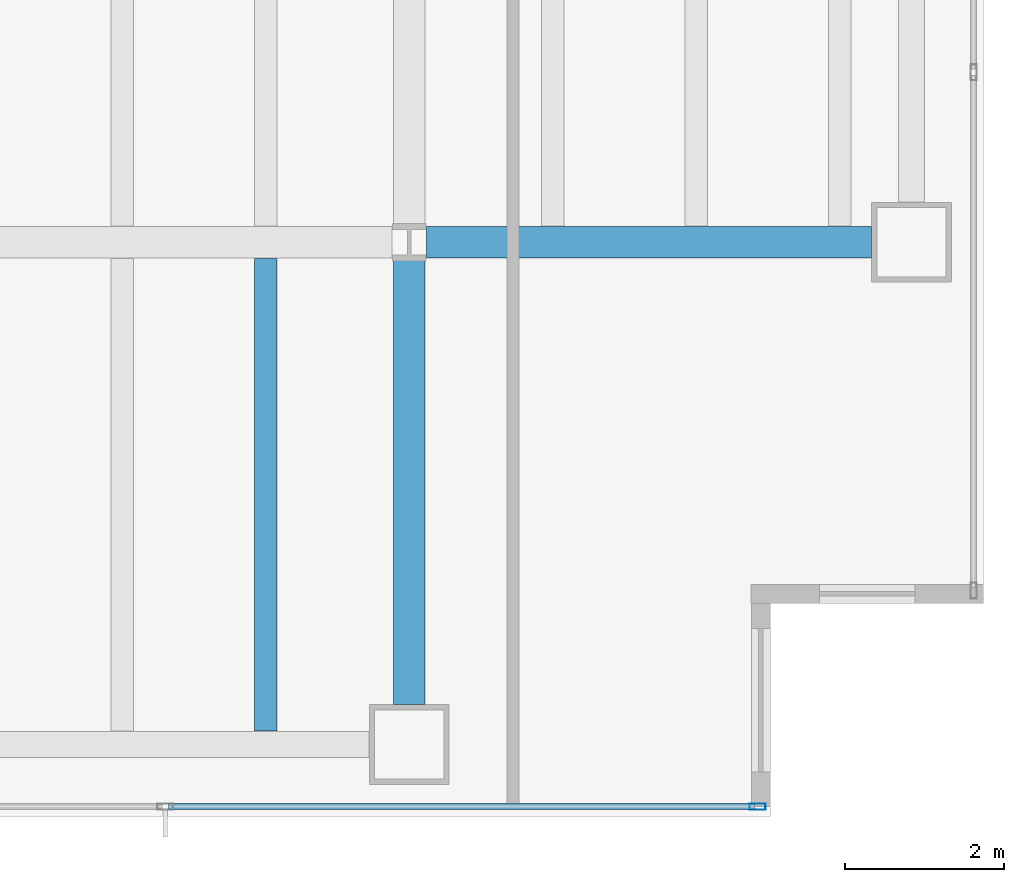
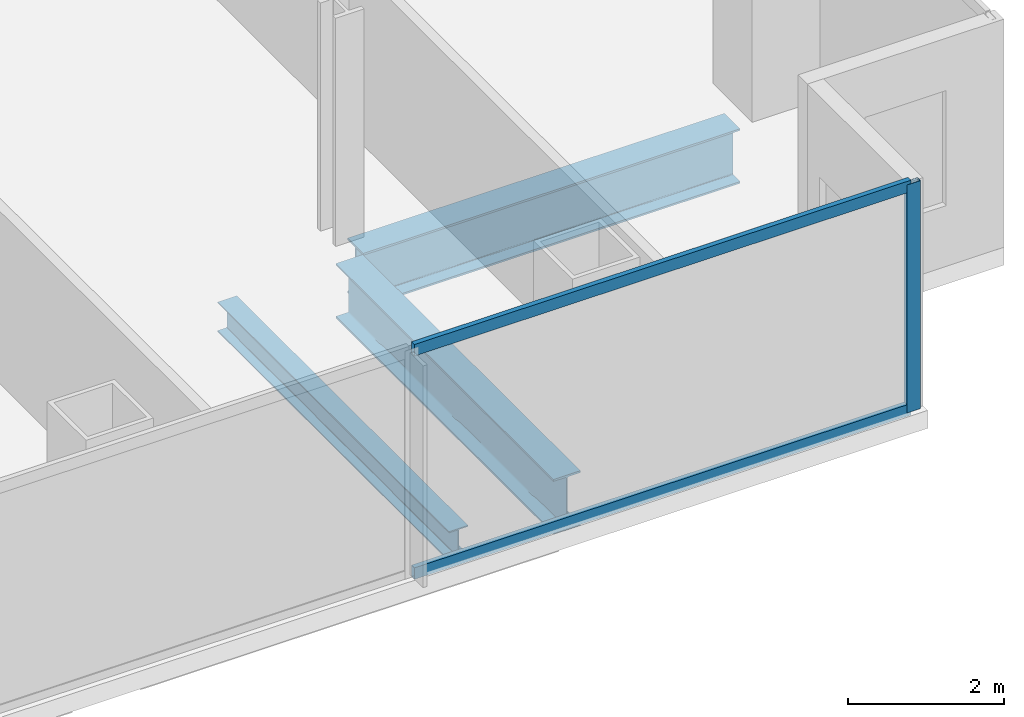
# One storey, part 8 of 25: 3 beams, 3 members, 1 element without a shape of its own.
"""IFC4 building model written with IfcOpenShell, lengths in metres."""

from ifc_helpers import new_model, si_unit, direction, frame, origin, origin_2d, place, context, subcontext, project, spatial, hollow_rectangle, i_section, extrude, material, material_profile, profile_set, type_object, element, aggregate, save


model = new_model("IFC4")

# Units and contexts
model_context = context("Model", 3, precision=1e-05, world=origin(), true_north=direction((0.0, 1.0)))
body_context = subcontext(model_context, "Body", "Model", "MODEL_VIEW")
ifc_project = project(units=[si_unit("LENGTHUNIT", "METRE"), si_unit("AREAUNIT", "SQUARE_METRE"), si_unit("VOLUMEUNIT", "CUBIC_METRE"), si_unit("PLANEANGLEUNIT", "RADIAN"), si_unit("MASSUNIT", "GRAM", prefix="KILO")], contexts=[model_context])

# Site, building, storey
site_placement = place(None, origin())
site = spatial("IfcSite", under=ifc_project, at=site_placement, CompositionType="ELEMENT")
building_placement = place(site_placement, origin())
building = spatial("IfcBuilding", under=site, at=building_placement, Name="Cobrela Telecom Tower", CompositionType="ELEMENT")
storey_placement = place(building_placement, frame((0.0, 0.0, 58.10009765625)))
storey = spatial("IfcBuildingStorey", under=building, at=storey_placement, Name="L14", CompositionType="ELEMENT", Elevation=58.10009765625)

# Beams
ifc_material_1 = material(Name="Steel ASTM A992 Grade 50", Category="steel")
ifc_material_profile_1 = material_profile(ifc_material_1, i_section(OverallWidth=0.39892578125, OverallDepth=0.85595703125, WebThickness=0.018310546875, FlangeThickness=0.029296875, FilletRadius=0.02001953125, at=origin_2d()), Name="W33X201")
ifc_profile_set_1 = profile_set([ifc_material_profile_1], Name="Steel ASTM A992 Grade 50")
beam_type_1 = type_object("IfcBeamType", Name="BM-GIRD-03", PredefinedType="USERDEFINED", material=ifc_profile_set_1)
beam_1_placement = place(storey_placement, frame((43.416015625, 7.199951171875, -0.7080078125), z_axis=(1.0, 0.0, 0.0), x_axis=(0.0, 1.0, 0.0)))
element("IfcBeam", 1, at=beam_1_placement, inside=storey, type_object=beam_type_1, Name="L14 Primary Girder X12", ObjectType="GIRDER", PredefinedType="USERDEFINED", context=body_context, shape_type="SweptSolid", body=[
    extrude(i_section(OverallWidth=0.39892578125, OverallDepth=0.85595703125, WebThickness=0.018310546875, FlangeThickness=0.029296875, FilletRadius=0.02001953125, at=origin_2d()), origin(), (0.0, 0.0, 1.0), 5.5791015625),
])
beam_2_placement = place(storey_placement, frame((43.199951171875, 1.405029296875, -0.7080078125), z_axis=(0.0, 1.0, 0.0), x_axis=(-1.0, 0.0, 0.0)))
element("IfcBeam", 2, at=beam_2_placement, inside=storey, type_object=beam_type_1, Name="L14 Primary Girder Y53", ObjectType="GIRDER", PredefinedType="USERDEFINED", context=body_context, shape_type="SweptSolid", body=[
    extrude(i_section(OverallWidth=0.39892578125, OverallDepth=0.85595703125, WebThickness=0.018310546875, FlangeThickness=0.029296875, FilletRadius=0.02001953125, at=origin_2d()), origin(), (0.0, 0.0, 1.0), 5.578857421875),
])
ifc_material_profile_2 = material_profile(ifc_material_1, i_section(OverallWidth=0.281982421875, OverallDepth=0.467041015625, WebThickness=0.01220703125, FlangeThickness=0.01953125, FilletRadius=0.012939453125, at=origin_2d()), Name="W18X86")
ifc_profile_set_2 = profile_set([ifc_material_profile_2], Name="Steel ASTM A992 Grade 50")
beam_type_2 = type_object("IfcBeamType", Name="BM-JOIST-02", PredefinedType="JOIST", material=ifc_profile_set_2)
beam_3_placement = place(storey_placement, frame((41.39990234375, 1.0673828125, -0.513671875), z_axis=(0.0, 1.0, 0.0), x_axis=(-1.0, 0.0, 0.0)))
element("IfcBeam", 3, at=beam_3_placement, inside=storey, type_object=beam_type_2, Name="L14 Secondary Composite Floor Beam J56", PredefinedType="JOIST", context=body_context, shape_type="SweptSolid", body=[
    extrude(i_section(OverallWidth=0.281982421875, OverallDepth=0.467041015625, WebThickness=0.01220703125, FlangeThickness=0.01953125, FilletRadius=0.012939453125, at=origin_2d()), origin(), (0.0, 0.0, 1.0), 5.92822265625),
])

# Curtain wall, members
ifc_material_2 = material(Name="Anodized Bronze Aluminium 6063-T6", Category="aluminium")
curtain_wall_type = type_object("IfcCurtainWallType", Name="CW-SYS-DATA", PredefinedType="USERDEFINED", material=ifc_material_2)
curtain_wall_placement = place(storey_placement, origin())
curtain_wall = element("IfcCurtainWall", 4, at=curtain_wall_placement, inside=storey, type_object=curtain_wall_type, Name="L14 Unitised Bronze Curtain Wall 17", ObjectType="UNITISED CURTAIN WALL", PredefinedType="USERDEFINED")
ifc_material_profile_3 = material_profile(ifc_material_2, hollow_rectangle(XDim=0.080078125, YDim=0.199951171875, WallThickness=0.00390625, at=origin_2d()), Name="ALU 80x200x4")
ifc_profile_set_3 = profile_set([ifc_material_profile_3], Name="Anodized Bronze Aluminium 6063-T6")
member_type_1 = type_object("IfcMemberType", Name="CW-SYS-DATA-MUL", PredefinedType="MULLION", material=ifc_profile_set_3)
member_1_placement = place(storey_placement, frame((47.570068359375, 0.1201171875, 0.0), z_axis=(0.0, 0.0, 1.0), x_axis=(0.0, -1.0, 0.0)))
member_1 = element("IfcMember", 5, at=member_1_placement, type_object=member_type_1, Name="CW-DATA mullion 1", PredefinedType="MULLION", context=body_context, shape_type="SweptSolid", body=[
    extrude(hollow_rectangle(XDim=0.080078125, YDim=0.199951171875, WallThickness=0.00390625, at=origin_2d()), origin(), (0.0, 0.0, 1.0), 3.56982421875),
])
ifc_material_profile_4 = material_profile(ifc_material_2, hollow_rectangle(XDim=0.074951171875, YDim=0.179931640625, WallThickness=0.00390625, at=origin_2d()), Name="ALU 75x180x4")
ifc_profile_set_4 = profile_set([ifc_material_profile_4], Name="Anodized Bronze Aluminium 6063-T6")
member_type_2 = type_object("IfcMemberType", Name="CW-SYS-DATA-TRN", PredefinedType="USERDEFINED", material=ifc_profile_set_4)
member_2_placement = place(storey_placement, frame((47.530029296875, 0.1201171875, 0.037353515625), z_axis=(-1.0, 0.0, 0.0), x_axis=(0.0, -1.0, 0.0)))
member_2 = element("IfcMember", 6, at=member_2_placement, type_object=member_type_2, Name="CW-DATA transom 1.1", ObjectType="TRANSOM", PredefinedType="USERDEFINED", context=body_context, shape_type="SweptSolid", body=[
    extrude(hollow_rectangle(XDim=0.074951171875, YDim=0.179931640625, WallThickness=0.00390625, at=origin_2d()), origin(), (0.0, 0.0, 1.0), 7.35009765625),
])
member_3_placement = place(storey_placement, frame((47.530029296875, 0.1201171875, 3.532470703125), z_axis=(-1.0, 0.0, 0.0), x_axis=(0.0, -1.0, 0.0)))
member_3 = element("IfcMember", 7, at=member_3_placement, type_object=member_type_2, Name="CW-DATA transom 1.2", ObjectType="TRANSOM", PredefinedType="USERDEFINED", context=body_context, shape_type="SweptSolid", body=[
    extrude(hollow_rectangle(XDim=0.074951171875, YDim=0.179931640625, WallThickness=0.00390625, at=origin_2d()), origin(), (0.0, 0.0, 1.0), 7.35009765625),
])
aggregate(curtain_wall, [member_1, member_2, member_3])

save(model, "model.ifc")
